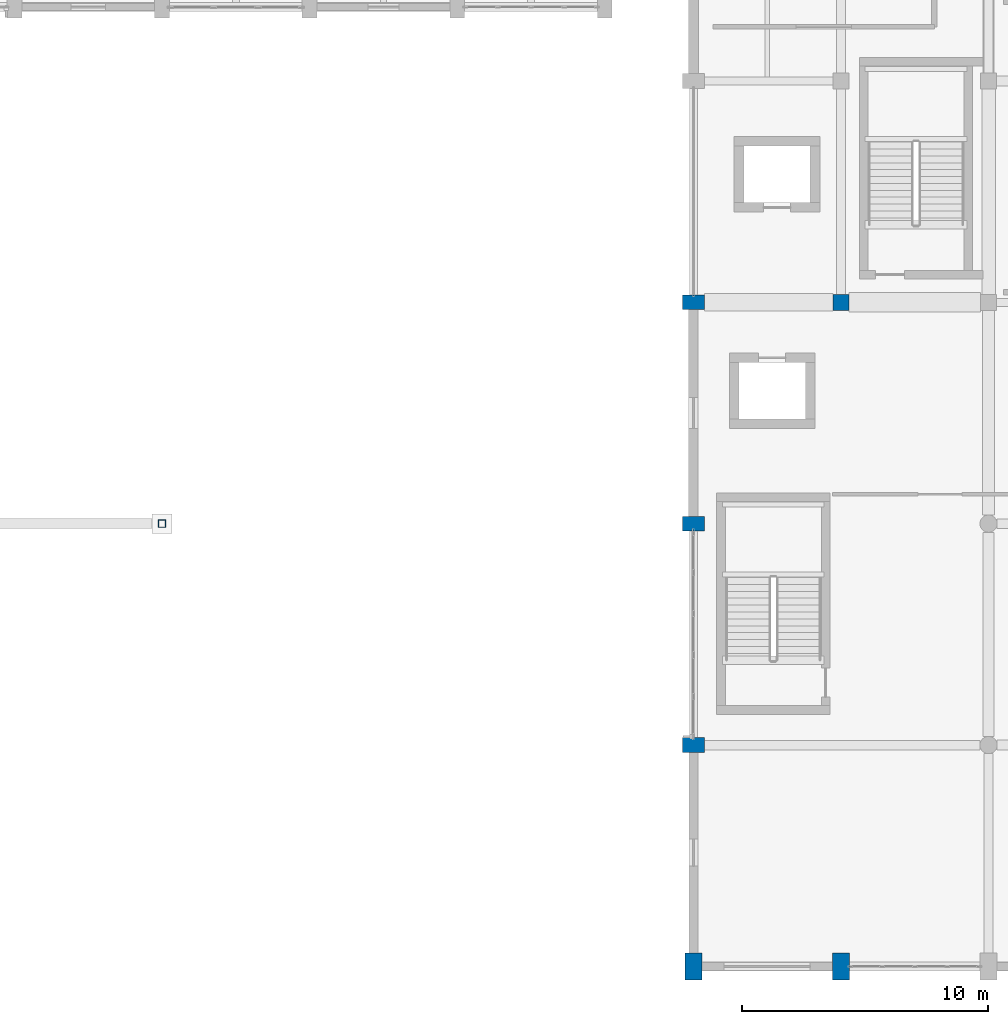
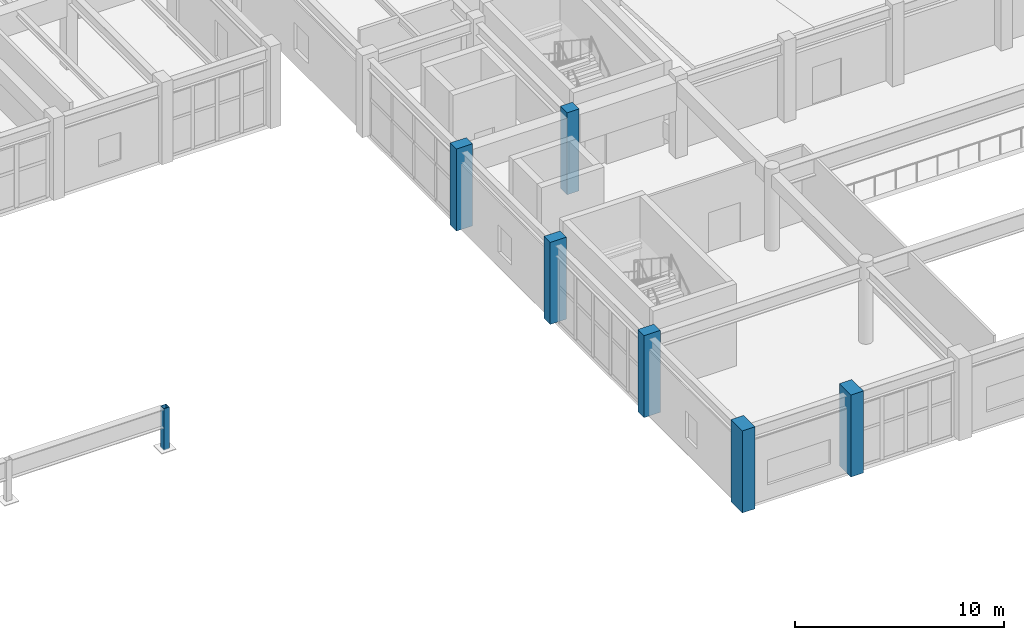
# One storey, part 2 of 85: 7 columns.
"""IFC4 building model written with IfcOpenShell, lengths in metres."""

from ifc_helpers import new_model, si_unit, direction, frame, origin, origin_2d, place, context, subcontext, project, spatial, rectangle, hollow_rectangle, extrude, material, material_profile, profile_set, type_object, element, save


model = new_model("IFC4")

# Units and contexts
model_context = context("Model", 3, precision=1e-05, world=origin(), true_north=direction((0.0, 1.0)))
body_context = subcontext(model_context, "Body", "Model", "MODEL_VIEW")
ifc_project = project(units=[si_unit("LENGTHUNIT", "METRE"), si_unit("AREAUNIT", "SQUARE_METRE"), si_unit("VOLUMEUNIT", "CUBIC_METRE"), si_unit("PLANEANGLEUNIT", "RADIAN"), si_unit("MASSUNIT", "GRAM", prefix="KILO")], contexts=[model_context])

# Site, building, storey
site_placement = place(None, origin())
site = spatial("IfcSite", under=ifc_project, at=site_placement, CompositionType="ELEMENT")
building_placement = place(site_placement, origin())
building = spatial("IfcBuilding", under=site, at=building_placement, Name="Vaelkrest Opera House", CompositionType="ELEMENT")
storey_placement = place(building_placement, frame((0.0, 0.0, 10.199951171875)))
storey = spatial("IfcBuildingStorey", under=building, at=storey_placement, Name="L02", CompositionType="ELEMENT", Elevation=10.199951171875)

# Columns
ifc_material_1 = material(Name="Concrete C50/60", Category="concrete")
ifc_material_profile_1 = material_profile(ifc_material_1, rectangle(XDim=0.60009765625, YDim=0.89990234375, at=origin_2d()), Name="RC600X900")
ifc_profile_set_1 = profile_set([ifc_material_profile_1], Name="Concrete C50/60")
column_type_1 = type_object("IfcColumnType", Name="C06", PredefinedType="COLUMN", material=ifc_profile_set_1)
for number, where, z_axis, x_axis, name in (
    (1, (-30.0, -46.800048828125, 0.0), (0.0, 0.0, 1.0), (0.0, 1.0, 0.0), "Column COL-V1-L02-0205"),
    (2, (-30.0, -37.800048828125, 0.0), (0.0, 0.0, 1.0), (0.0, 1.0, 0.0), "Column COL-V1-L02-0206"),
    (3, (-30.0, -28.800048828125, 0.0), (0.0, 0.0, 1.0), (0.0, 1.0, 0.0), "Column COL-V1-L02-0207"),
):
    element("IfcColumn", number, at=place(storey_placement, frame(where, z_axis=z_axis, x_axis=x_axis)), inside=storey, type_object=column_type_1, Name=name, PredefinedType="COLUMN", context=body_context, shape_type="SweptSolid", body=[
        extrude(rectangle(XDim=0.60009765625, YDim=0.89990234375, at=origin_2d()), origin(), (0.0, 0.0, 1.0), 4.800048828125),
    ])
ifc_material_profile_2 = material_profile(ifc_material_1, rectangle(XDim=0.699951171875, YDim=1.10009765625, at=origin_2d()), Name="RC700X1100")
ifc_profile_set_2 = profile_set([ifc_material_profile_2], Name="Concrete C50/60")
column_type_2 = type_object("IfcColumnType", Name="C07", PredefinedType="COLUMN", material=ifc_profile_set_2)
for number, where, z_axis, x_axis, name in (
    (4, (-30.0, -55.800048828125, 0.0), (0.0, 0.0, 1.0), (1.0, 0.0, 0.0), "Column COL-V1-L02-0204"),
    (5, (-24.0, -55.800048828125, 0.0), (0.0, 0.0, 1.0), (1.0, 0.0, 0.0), "Column COL-V1-L02-0213"),
):
    element("IfcColumn", number, at=place(storey_placement, frame(where, z_axis=z_axis, x_axis=x_axis)), inside=storey, type_object=column_type_2, Name=name, PredefinedType="COLUMN", context=body_context, shape_type="SweptSolid", body=[
        extrude(rectangle(XDim=0.699951171875, YDim=1.10009765625, at=origin_2d()), origin(), (0.0, 0.0, 1.0), 4.800048828125),
    ])
ifc_material_2 = material(Name="Steel A500 GrC", Category="steel")
ifc_material_profile_3 = material_profile(ifc_material_2, hollow_rectangle(XDim=0.304931640625, YDim=0.304931640625, WallThickness=0.015869140625, at=origin_2d()), Name="HSS305X305X15.9")
ifc_profile_set_3 = profile_set([ifc_material_profile_3], Name="Steel A500 GrC")
column_type_3 = type_object("IfcColumnType", Name="C12", PredefinedType="COLUMN", material=ifc_profile_set_3)
column_1_placement = place(storey_placement, frame((-51.60009765625, -37.800048828125, 0.0), z_axis=(0.0, 0.0, 1.0), x_axis=(1.0, 0.0, 0.0)))
element("IfcColumn", 6, at=column_1_placement, inside=storey, type_object=column_type_3, Name="Roof fold pier post V5-N-04", PredefinedType="COLUMN", context=body_context, shape_type="SweptSolid", body=[
    extrude(hollow_rectangle(XDim=0.304931640625, YDim=0.304931640625, WallThickness=0.015869140625, at=origin_2d()), origin(), (0.0, 0.0, 1.0), 2.429931640625),
])
ifc_material_profile_4 = material_profile(ifc_material_1, rectangle(XDim=0.64990234375, YDim=0.64990234375, at=origin_2d()), Name="RC650X650")
ifc_profile_set_4 = profile_set([ifc_material_profile_4], Name="Concrete C50/60")
column_type_4 = type_object("IfcColumnType", Name="C14", PredefinedType="COLUMN", material=ifc_profile_set_4)
column_2_placement = place(storey_placement, frame((-24.0, -28.800048828125, 0.0), z_axis=(0.0, 0.0, 1.0), x_axis=(1.0, 0.0, 0.0)))
element("IfcColumn", 7, at=column_2_placement, inside=storey, type_object=column_type_4, Name="Column COL-V1-L02-0214", PredefinedType="COLUMN", context=body_context, shape_type="SweptSolid", body=[
    extrude(rectangle(XDim=0.64990234375, YDim=0.64990234375, at=origin_2d()), origin(), (0.0, 0.0, 1.0), 4.800048828125),
])

save(model, "model.ifc")
